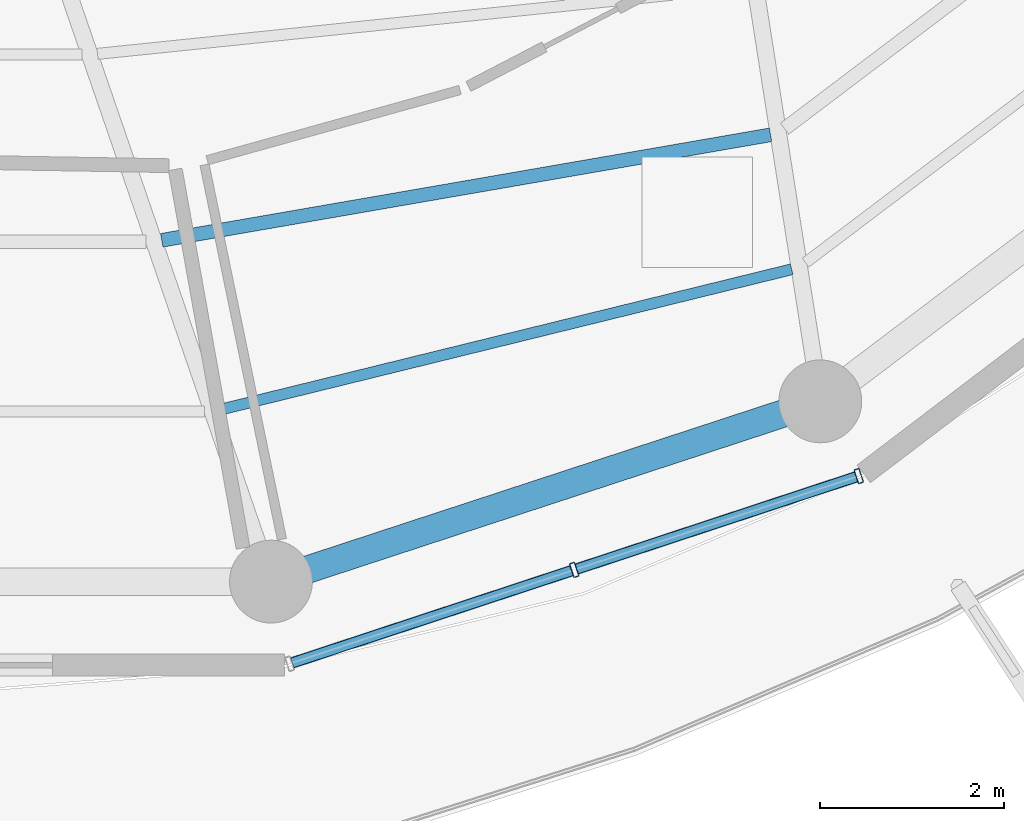
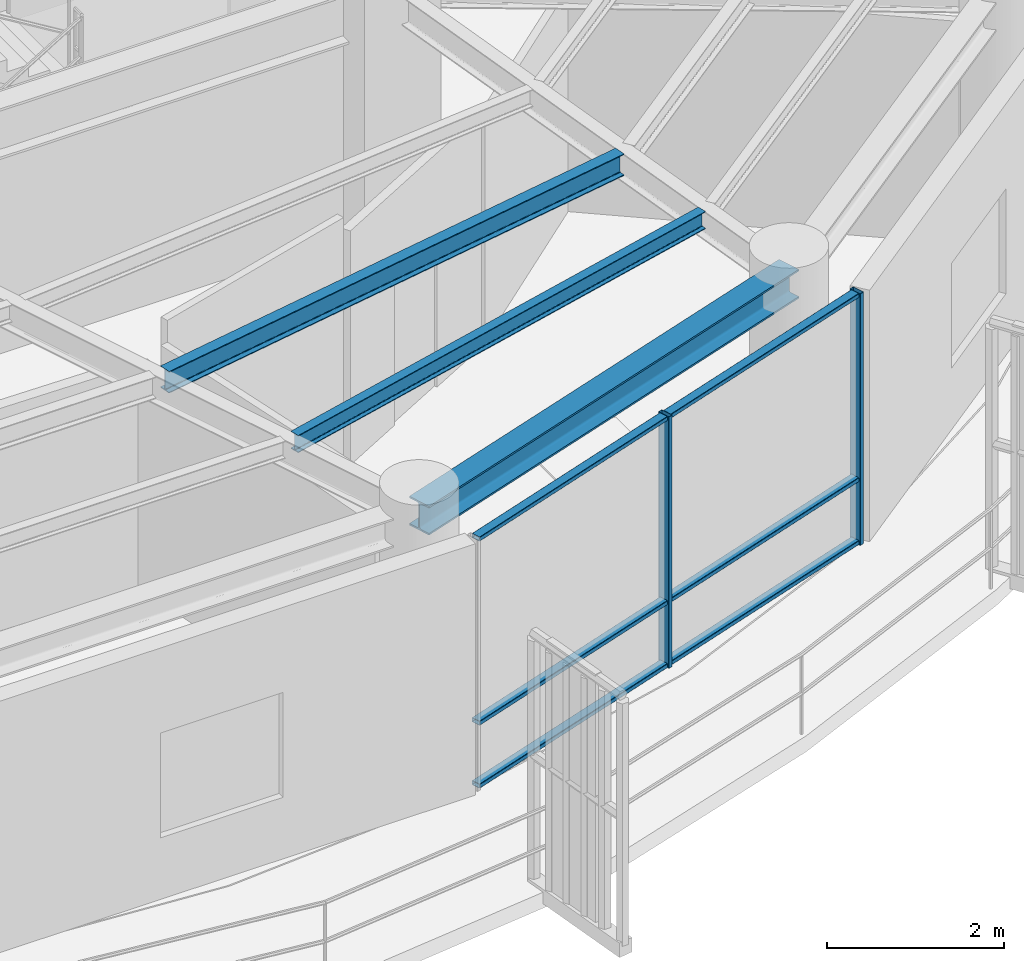
# One storey, part 4 of 23: 8 members, 3 beams, 1 element without a shape of its own.
"""IFC4 building model written with IfcOpenShell, lengths in metres."""

from ifc_helpers import new_model, si_unit, direction, frame, origin, origin_2d, place, context, subcontext, project, spatial, hollow_rectangle, i_section, extrude, material, layer, layer_set, material_profile, profile_set, type_object, element, aggregate, save


model = new_model("IFC4")

# Units and contexts
model_context = context("Model", 3, precision=1e-05, world=origin(), true_north=direction((0.0, 1.0)))
body_context = subcontext(model_context, "Body", "Model", "MODEL_VIEW")
ifc_project = project(units=[si_unit("LENGTHUNIT", "METRE"), si_unit("AREAUNIT", "SQUARE_METRE"), si_unit("VOLUMEUNIT", "CUBIC_METRE"), si_unit("PLANEANGLEUNIT", "RADIAN"), si_unit("MASSUNIT", "GRAM", prefix="KILO")], contexts=[model_context])

# Site, building, storey
site_placement = place(None, origin())
site = spatial("IfcSite", under=ifc_project, at=site_placement, CompositionType="ELEMENT")
building_placement = place(site_placement, origin())
building = spatial("IfcBuilding", under=site, at=building_placement, Name="Kelanora Arch Commons", CompositionType="ELEMENT")
storey_placement = place(building_placement, frame((0.0, 0.0, 256.199951171875)))
storey = spatial("IfcBuildingStorey", under=building, at=storey_placement, Name="L65", CompositionType="ELEMENT", Elevation=256.199951171875)

# Beams
ifc_material_1 = material(Name="Steel S355", Category="steel")
ifc_material_profile_1 = material_profile(ifc_material_1, i_section(OverallWidth=0.14990234375, OverallDepth=0.300048828125, WebThickness=0.007080078125, FlangeThickness=0.0107421875, FilletRadius=0.014892578125, at=origin_2d()), Name="IPE300")
ifc_profile_set_1 = profile_set([ifc_material_profile_1], Name="Steel S355")
beam_type_1 = type_object("IfcBeamType", Name="BM-JST-01", PredefinedType="JOIST", material=ifc_profile_set_1)
beam_1_placement = place(storey_placement, frame((75.98828125, 45.476806640625, 3.340087890625), z_axis=(0.985321568263, 0.170708544357, 0.0), x_axis=(-0.170708544357, 0.985321568263, 0.0)))
element("IfcBeam", 1, at=beam_1_placement, inside=storey, type_object=beam_type_1, Name="Secondary Chord Joist BJB-28 L65", PredefinedType="JOIST", context=body_context, shape_type="SweptSolid", body=[
    extrude(i_section(OverallWidth=0.14990234375, OverallDepth=0.300048828125, WebThickness=0.007080078125, FlangeThickness=0.0107421875, FilletRadius=0.014892578125, at=origin_2d()), origin(), (0.0, 0.0, 1.0), 6.710205078125),
])
ifc_material_profile_2 = material_profile(ifc_material_1, i_section(OverallWidth=0.1201171875, OverallDepth=0.239990234375, WebThickness=0.006103515625, FlangeThickness=0.009765625, FilletRadius=0.014892578125, at=origin_2d()), Name="IPE240")
ifc_profile_set_2 = profile_set([ifc_material_profile_2], Name="Steel S355")
beam_type_2 = type_object("IfcBeamType", Name="BM-JST-02", PredefinedType="JOIST", material=ifc_profile_set_2)
beam_2_placement = place(storey_placement, frame((76.6220703125, 43.63671875, 3.3701171875), z_axis=(0.971109719488, 0.23863342749, 0.0), x_axis=(-0.23863342749, 0.971109719488, 0.0)))
element("IfcBeam", 2, at=beam_2_placement, inside=storey, type_object=beam_type_2, Name="Secondary Chord Joist BJC-28 L65", PredefinedType="JOIST", context=body_context, shape_type="SweptSolid", body=[
    extrude(i_section(OverallWidth=0.1201171875, OverallDepth=0.239990234375, WebThickness=0.006103515625, FlangeThickness=0.009765625, FilletRadius=0.014892578125, at=origin_2d()), origin(), (0.0, 0.0, 1.0), 6.39208984375),
])
ifc_material_profile_3 = material_profile(ifc_material_1, i_section(OverallWidth=0.300048828125, OverallDepth=0.39990234375, WebThickness=0.013427734375, FlangeThickness=0.02392578125, FilletRadius=0.027099609375, at=origin_2d()), Name="HEB400")
ifc_profile_set_3 = profile_set([ifc_material_profile_3], Name="Steel S355")
beam_type_3 = type_object("IfcBeamType", Name="BM-SPN-Z4", PredefinedType="SPANDREL", material=ifc_profile_set_3)
beam_3_placement = place(storey_placement, frame((77.17431640625, 41.7705078125, 3.2900390625), z_axis=(0.950165923039, 0.311744636996, 0.0), x_axis=(-0.311744636996, 0.950165923039, 0.0)))
element("IfcBeam", 3, at=beam_3_placement, inside=storey, type_object=beam_type_3, Name="Perimeter Spandrel Beam BS-28 L65", PredefinedType="SPANDREL", context=body_context, shape_type="SweptSolid", body=[
    extrude(i_section(OverallWidth=0.300048828125, OverallDepth=0.39990234375, WebThickness=0.013427734375, FlangeThickness=0.02392578125, FilletRadius=0.027099609375, at=origin_2d()), origin(), (0.0, 0.0, 1.0), 6.278564453125),
])

# Curtain wall, members
ifc_material_2 = material(Name="Terracotta ceramic-fritted low-E glass and aluminium", Category="masonry")
ifc_layer = layer(ifc_material_2, 0.18994140625)
ifc_layer_set = layer_set([ifc_layer], Name="Terracotta ceramic-fritted low-E glass and aluminium")
curtain_wall_type = type_object("IfcCurtainWallType", Name="CW-SYS-03", PredefinedType="NOTDEFINED", material=ifc_layer_set)
curtain_wall_placement = place(storey_placement, origin())
curtain_wall = element("IfcCurtainWall", 4, at=curtain_wall_placement, inside=storey, type_object=curtain_wall_type, Name="Unitised Curtain Wall L65-B14", PredefinedType="NOTDEFINED")
ifc_material_3 = material(Name="Powder-coated aluminium terracotta", Category="masonry")
ifc_material_profile_4 = material_profile(ifc_material_3, hollow_rectangle(XDim=0.159912109375, YDim=0.06005859375, WallThickness=0.0048828125, InnerFilletRadius=0.0048828125, OuterFilletRadius=0.010009765625, at=origin_2d()), Name="CWM160x60")
ifc_profile_set_4 = profile_set([ifc_material_profile_4], Name="Powder-coated aluminium terracotta")
member_type_1 = type_object("IfcMemberType", Name="CWM-STD", PredefinedType="MULLION", material=ifc_profile_set_4)
member_1_placement = place(storey_placement, frame((80.467041015625, 41.897705078125, 0.0), z_axis=(0.0, 0.0, 1.0), x_axis=(-0.313252785344, 0.949669780752, 0.0)))
member_1 = element("IfcMember", 5, at=member_1_placement, type_object=member_type_1, Name="CW-03 mullion 2", PredefinedType="MULLION", context=body_context, shape_type="SweptSolid", body=[
    extrude(hollow_rectangle(XDim=0.159912109375, YDim=0.06005859375, WallThickness=0.0048828125, InnerFilletRadius=0.0048828125, OuterFilletRadius=0.010009765625, at=origin_2d()), origin(), (0.0, 0.0, 1.0), 3.47509765625),
])
member_2_placement = place(storey_placement, frame((83.557373046875, 42.9169921875, 0.0), z_axis=(0.0, 0.0, 1.0), x_axis=(-0.313252785344, 0.949669780752, 0.0)))
member_2 = element("IfcMember", 6, at=member_2_placement, type_object=member_type_1, Name="CW-03 mullion 3", PredefinedType="MULLION", context=body_context, shape_type="SweptSolid", body=[
    extrude(hollow_rectangle(XDim=0.159912109375, YDim=0.06005859375, WallThickness=0.0048828125, InnerFilletRadius=0.0048828125, OuterFilletRadius=0.010009765625, at=origin_2d()), origin(), (0.0, 0.0, 1.0), 3.47509765625),
])
ifc_material_profile_5 = material_profile(ifc_material_3, hollow_rectangle(XDim=0.1201171875, YDim=0.06005859375, WallThickness=0.0048828125, InnerFilletRadius=0.0048828125, OuterFilletRadius=0.010009765625, at=origin_2d()), Name="CWT120x60")
ifc_profile_set_5 = profile_set([ifc_material_profile_5], Name="Powder-coated aluminium terracotta")
member_type_2 = type_object("IfcMemberType", Name="CWT-STD", PredefinedType="USERDEFINED", material=ifc_profile_set_5)
member_3_placement = place(storey_placement, frame((77.4052734375, 40.8876953125, 0.030029296875), z_axis=(0.949649574195, 0.313314037719, 0.0), x_axis=(-0.313314037719, 0.949649574195, 0.0)))
member_3 = element("IfcMember", 7, at=member_3_placement, type_object=member_type_2, Name="CW-03 transom 1.1", ObjectType="TRANSOM", PredefinedType="USERDEFINED", context=body_context, shape_type="SweptSolid", body=[
    extrude(hollow_rectangle(XDim=0.1201171875, YDim=0.06005859375, WallThickness=0.0048828125, InnerFilletRadius=0.0048828125, OuterFilletRadius=0.010009765625, at=origin_2d()), origin(), (0.0, 0.0, 1.0), 3.194091796875),
])
member_4_placement = place(storey_placement, frame((77.4052734375, 40.8876953125, 0.900146484375), z_axis=(0.949649574195, 0.313314037719, 0.0), x_axis=(-0.313314037719, 0.949649574195, 0.0)))
member_4 = element("IfcMember", 8, at=member_4_placement, type_object=member_type_2, Name="CW-03 transom 1.2", ObjectType="TRANSOM", PredefinedType="USERDEFINED", context=body_context, shape_type="SweptSolid", body=[
    extrude(hollow_rectangle(XDim=0.1201171875, YDim=0.06005859375, WallThickness=0.0048828125, InnerFilletRadius=0.0048828125, OuterFilletRadius=0.010009765625, at=origin_2d()), origin(), (0.0, 0.0, 1.0), 3.194091796875),
])
member_5_placement = place(storey_placement, frame((77.4052734375, 40.8876953125, 3.445068359375), z_axis=(0.949649574195, 0.313314037719, 0.0), x_axis=(-0.313314037719, 0.949649574195, 0.0)))
member_5 = element("IfcMember", 9, at=member_5_placement, type_object=member_type_2, Name="CW-03 transom 1.3", ObjectType="TRANSOM", PredefinedType="USERDEFINED", context=body_context, shape_type="SweptSolid", body=[
    extrude(hollow_rectangle(XDim=0.1201171875, YDim=0.06005859375, WallThickness=0.0048828125, InnerFilletRadius=0.0048828125, OuterFilletRadius=0.010009765625, at=origin_2d()), origin(), (0.0, 0.0, 1.0), 3.194091796875),
])
member_6_placement = place(storey_placement, frame((80.49560546875, 41.9072265625, 0.030029296875), z_axis=(0.949672315102, 0.313245102003, 0.0), x_axis=(-0.313245102003, 0.949672315102, 0.0)))
member_6 = element("IfcMember", 10, at=member_6_placement, type_object=member_type_2, Name="CW-03 transom 2.1", ObjectType="TRANSOM", PredefinedType="USERDEFINED", context=body_context, shape_type="SweptSolid", body=[
    extrude(hollow_rectangle(XDim=0.1201171875, YDim=0.06005859375, WallThickness=0.0048828125, InnerFilletRadius=0.0048828125, OuterFilletRadius=0.010009765625, at=origin_2d()), origin(), (0.0, 0.0, 1.0), 3.19384765625),
])
member_7_placement = place(storey_placement, frame((80.49560546875, 41.9072265625, 0.900146484375), z_axis=(0.949672315102, 0.313245102003, 0.0), x_axis=(-0.313245102003, 0.949672315102, 0.0)))
member_7 = element("IfcMember", 11, at=member_7_placement, type_object=member_type_2, Name="CW-03 transom 2.2", ObjectType="TRANSOM", PredefinedType="USERDEFINED", context=body_context, shape_type="SweptSolid", body=[
    extrude(hollow_rectangle(XDim=0.1201171875, YDim=0.06005859375, WallThickness=0.0048828125, InnerFilletRadius=0.0048828125, OuterFilletRadius=0.010009765625, at=origin_2d()), origin(), (0.0, 0.0, 1.0), 3.19384765625),
])
member_8_placement = place(storey_placement, frame((80.49560546875, 41.9072265625, 3.445068359375), z_axis=(0.949672315102, 0.313245102003, 0.0), x_axis=(-0.313245102003, 0.949672315102, 0.0)))
member_8 = element("IfcMember", 12, at=member_8_placement, type_object=member_type_2, Name="CW-03 transom 2.3", ObjectType="TRANSOM", PredefinedType="USERDEFINED", context=body_context, shape_type="SweptSolid", body=[
    extrude(hollow_rectangle(XDim=0.1201171875, YDim=0.06005859375, WallThickness=0.0048828125, InnerFilletRadius=0.0048828125, OuterFilletRadius=0.010009765625, at=origin_2d()), origin(), (0.0, 0.0, 1.0), 3.19384765625),
])
aggregate(curtain_wall, [member_1, member_2, member_3, member_4, member_5, member_6, member_7, member_8])

save(model, "model.ifc")
